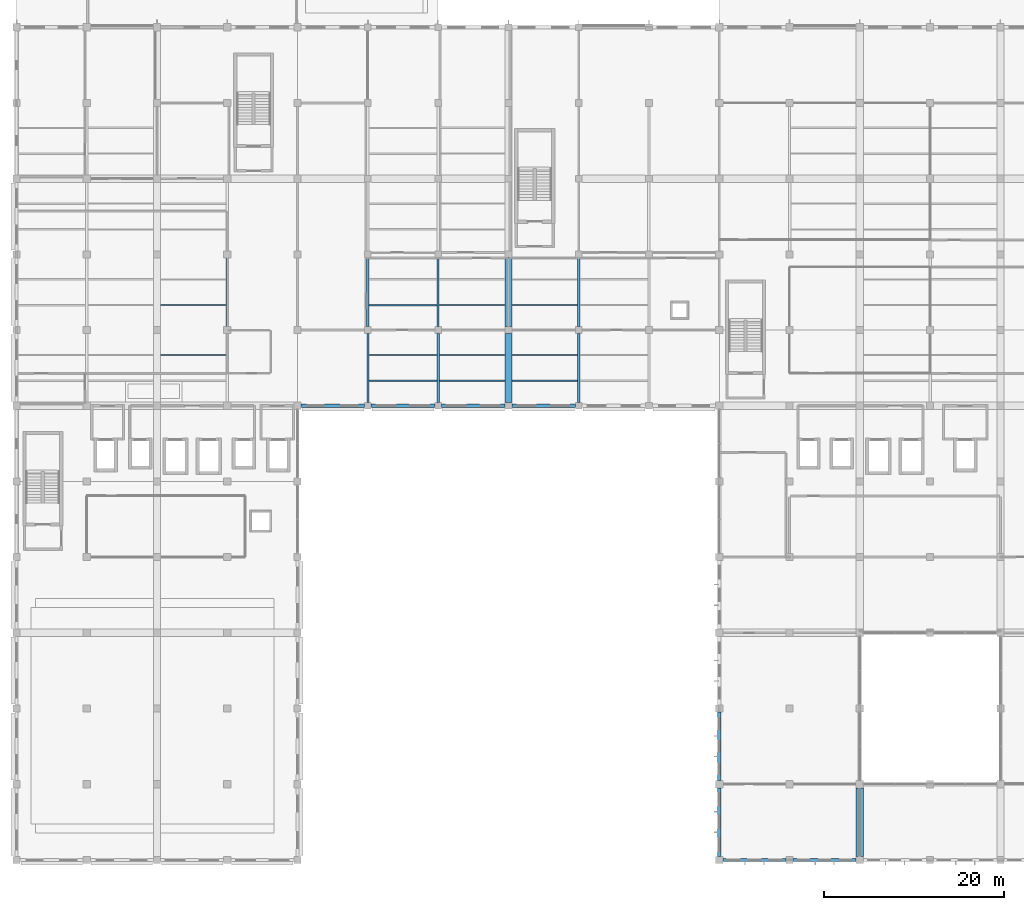
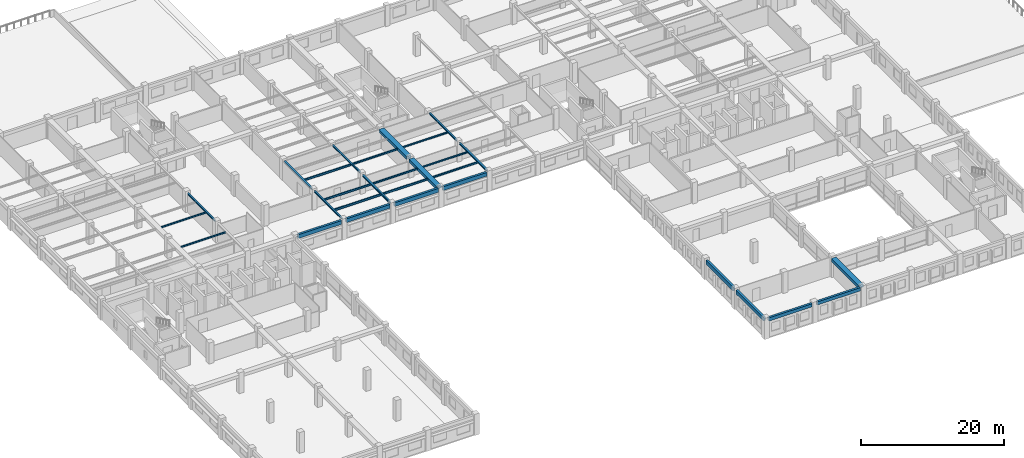
# One storey, part 6 of 50: 29 beams.
"""IFC4 building model written with IfcOpenShell, lengths in metres."""

from ifc_helpers import new_model, si_unit, direction, frame, origin, origin_2d, place, context, subcontext, project, spatial, rectangle, i_section, extrude, material, material_profile, profile_set, type_object, element, save


model = new_model("IFC4")

# Units and contexts
model_context = context("Model", 3, precision=1e-05, world=origin(), true_north=direction((0.0, 1.0)))
body_context = subcontext(model_context, "Body", "Model", "MODEL_VIEW")
ifc_project = project(units=[si_unit("LENGTHUNIT", "METRE"), si_unit("AREAUNIT", "SQUARE_METRE"), si_unit("VOLUMEUNIT", "CUBIC_METRE"), si_unit("PLANEANGLEUNIT", "RADIAN"), si_unit("MASSUNIT", "GRAM", prefix="KILO"), si_unit("THERMODYNAMICTEMPERATUREUNIT", "KELVIN"), si_unit("POWERUNIT", "WATT")], contexts=[model_context])

# Site, building, storey
site_placement = place(None, origin())
site = spatial("IfcSite", under=ifc_project, at=site_placement, CompositionType="ELEMENT")
building_placement = place(site_placement, origin())
building = spatial("IfcBuilding", under=site, at=building_placement, Name="Srebrne Nadtorze General Hospital", CompositionType="ELEMENT")
storey_placement = place(building_placement, frame((0.0, 0.0, 14.39990234375)))
storey = spatial("IfcBuildingStorey", under=building, at=storey_placement, Name="L03", CompositionType="ELEMENT", Elevation=14.39990234375)

# Beams
ifc_material_1 = material(Name="Steel S355J2", Category="steel")
ifc_material_profile_1 = material_profile(ifc_material_1, i_section(OverallWidth=0.159912109375, OverallDepth=0.330078125, WebThickness=0.007568359375, FlangeThickness=0.011474609375, FilletRadius=0.01806640625, at=origin_2d()), Name="IPE-330")
ifc_profile_set_1 = profile_set([ifc_material_profile_1], Name="Steel S355J2")
beam_type_1 = type_object("IfcBeamType", Name="Deck joist IPE 330", PredefinedType="JOIST", material=ifc_profile_set_1)
for number, where, z_axis, x_axis, name in (
    (1, (62.514892578125, 56.028076171875, 3.10498046875), (1.0, 0.0, 0.0), (0.0, 1.0, 0.0), "Interstitial deck joist SJ-L03-0051"),
    (2, (62.534912109375, 61.572021484375, 3.10498046875), (1.0, 0.0, 0.0), (0.0, 1.0, 0.0), "Interstitial deck joist SJ-L03-0052"),
):
    element("IfcBeam", number, at=place(storey_placement, frame(where, z_axis=z_axis, x_axis=x_axis)), inside=storey, type_object=beam_type_1, Name=name, PredefinedType="JOIST", context=body_context, shape_type="SweptSolid", body=[
        extrude(i_section(OverallWidth=0.159912109375, OverallDepth=0.330078125, WebThickness=0.007568359375, FlangeThickness=0.011474609375, FilletRadius=0.01806640625, at=origin_2d()), origin(), (0.0, 0.0, 1.0), 7.550048828125),
    ])
beam_1_placement = place(storey_placement, frame((70.3349609375, 53.172119140625, 3.10498046875), z_axis=(1.0, 0.0, 0.0), x_axis=(0.0, 1.0, 0.0)))
element("IfcBeam", 3, at=beam_1_placement, inside=storey, type_object=beam_type_1, Name="Interstitial deck joist SJ-L03-0058", PredefinedType="JOIST", context=body_context, shape_type="SweptSolid", body=[
    extrude(i_section(OverallWidth=0.159912109375, OverallDepth=0.330078125, WebThickness=0.007568359375, FlangeThickness=0.011474609375, FilletRadius=0.01806640625, at=origin_2d()), origin(), (0.0, 0.0, 1.0), 7.27001953125),
])
ifc_material_2 = material(Name="Steel S355J2", Category="steel")
ifc_material_profile_2 = material_profile(ifc_material_2, i_section(OverallWidth=0.169921875, OverallDepth=0.360107421875, WebThickness=0.008056640625, FlangeThickness=0.0126953125, FilletRadius=0.01806640625, at=origin_2d()), Name="IPE-360")
ifc_profile_set_2 = profile_set([ifc_material_profile_2], Name="Steel S355J2")
beam_type_2 = type_object("IfcBeamType", Name="Deck joist IPE 360", PredefinedType="JOIST", material=ifc_profile_set_2)
beam_2_placement = place(storey_placement, frame((62.514892578125, 53.172119140625, 3.090087890625), z_axis=(1.0, 0.0, 0.0), x_axis=(0.0, 1.0, 0.0)))
element("IfcBeam", 4, at=beam_2_placement, inside=storey, type_object=beam_type_2, Name="Interstitial deck joist SJ-L03-0050", PredefinedType="JOIST", context=body_context, shape_type="SweptSolid", body=[
    extrude(i_section(OverallWidth=0.169921875, OverallDepth=0.360107421875, WebThickness=0.008056640625, FlangeThickness=0.0126953125, FilletRadius=0.01806640625, at=origin_2d()), origin(), (0.0, 0.0, 1.0), 7.550048828125),
])
ifc_material_3 = material(Name="Concrete C35/45", Category="concrete")
ifc_material_profile_3 = material_profile(ifc_material_3, rectangle(XDim=0.35009765625, YDim=0.64990234375, at=origin_2d()), Name="RC-BM-350x650")
ifc_profile_set_3 = profile_set([ifc_material_profile_3], Name="Concrete C35/45")
beam_type_3 = type_object("IfcBeamType", Name="Edge beam RC 350x650", PredefinedType="BEAM", material=ifc_profile_set_3)
beam_3_placement = place(storey_placement, frame((55.0, 50.39990234375, 2.945068359375), z_axis=(1.0, 0.0, 0.0), x_axis=(0.0, 1.0, 0.0)))
element("IfcBeam", 5, at=beam_3_placement, inside=storey, type_object=beam_type_3, Name="Beam BM-L03-X-0745", PredefinedType="BEAM", context=body_context, shape_type="SweptSolid", body=[
    extrude(rectangle(XDim=0.35009765625, YDim=0.64990234375, at=origin_2d()), origin(), (0.0, 0.0, 1.0), 7.02490234375),
])
for number, where, z_axis, x_axis, name in (
    (6, (62.77490234375, 50.39990234375, 2.945068359375), (1.0, 0.0, 0.0), (0.0, 1.0, 0.0), "Beam BM-L03-X-0746"),
    (7, (70.574951171875, 50.39990234375, 2.945068359375), (1.0, 0.0, 0.0), (0.0, 1.0, 0.0), "Beam BM-L03-X-0747"),
    (8, (78.375, 50.39990234375, 2.945068359375), (1.0, 0.0, 0.0), (0.0, 1.0, 0.0), "Beam BM-L03-X-0748"),
):
    element("IfcBeam", number, at=place(storey_placement, frame(where, z_axis=z_axis, x_axis=x_axis)), inside=storey, type_object=beam_type_3, Name=name, PredefinedType="BEAM", context=body_context, shape_type="SweptSolid", body=[
        extrude(rectangle(XDim=0.35009765625, YDim=0.64990234375, at=origin_2d()), origin(), (0.0, 0.0, 1.0), 7.050048828125),
    ])
beam_4_placement = place(storey_placement, frame((101.39990234375, 0.39990234375, 2.945068359375), z_axis=(0.0, 1.0, 0.0), x_axis=(-1.0, 0.0, 0.0)))
element("IfcBeam", 9, at=beam_4_placement, inside=storey, type_object=beam_type_3, Name="Beam BM-L03-Y-0820", PredefinedType="BEAM", context=body_context, shape_type="SweptSolid", body=[
    extrude(rectangle(XDim=0.35009765625, YDim=0.64990234375, at=origin_2d()), origin(), (0.0, 0.0, 1.0), 7.60009765625),
])
beam_5_placement = place(storey_placement, frame((101.39990234375, 8.800048828125, 2.945068359375), z_axis=(0.0, 1.0, 0.0), x_axis=(-1.0, 0.0, 0.0)))
element("IfcBeam", 10, at=beam_5_placement, inside=storey, type_object=beam_type_3, Name="Beam BM-L03-Y-0821", PredefinedType="BEAM", context=body_context, shape_type="SweptSolid", body=[
    extrude(rectangle(XDim=0.35009765625, YDim=0.64990234375, at=origin_2d()), origin(), (0.0, 0.0, 1.0), 7.599853515625),
])
ifc_material_4 = material(Name="Steel S355J2", Category="steel")
ifc_material_profile_4 = material_profile(ifc_material_4, i_section(OverallWidth=0.239990234375, OverallDepth=0.22998046875, WebThickness=0.007568359375, FlangeThickness=0.011962890625, FilletRadius=0.02099609375, at=origin_2d()), Name="HEA-240")
ifc_profile_set_4 = profile_set([ifc_material_profile_4], Name="Steel S355J2")
beam_type_4 = type_object("IfcBeamType", Name="Primary beam HEA 240", PredefinedType="BEAM", material=ifc_profile_set_4)
beam_6_placement = place(storey_placement, frame((62.39990234375, 50.77490234375, 3.155029296875), z_axis=(0.0, 1.0, 0.0), x_axis=(-1.0, 0.0, 0.0)))
element("IfcBeam", 11, at=beam_6_placement, inside=storey, type_object=beam_type_4, Name="Interstitial steel beam SB-L03-0008", PredefinedType="BEAM", context=body_context, shape_type="SweptSolid", body=[
    extrude(i_section(OverallWidth=0.239990234375, OverallDepth=0.22998046875, WebThickness=0.007568359375, FlangeThickness=0.011962890625, FilletRadius=0.02099609375, at=origin_2d()), origin(), (0.0, 0.0, 1.0), 7.650146484375),
])
ifc_material_5 = material(Name="Steel S355J2", Category="steel")
ifc_material_profile_5 = material_profile(ifc_material_5, i_section(OverallWidth=0.260009765625, OverallDepth=0.25, WebThickness=0.007568359375, FlangeThickness=0.012451171875, FilletRadius=0.02392578125, at=origin_2d()), Name="HEA-260")
ifc_profile_set_5 = profile_set([ifc_material_profile_5], Name="Steel S355J2")
beam_type_5 = type_object("IfcBeamType", Name="Primary beam HEA 260", PredefinedType="BEAM", material=ifc_profile_set_5)
beam_7_placement = place(storey_placement, frame((46.800048828125, 59.199951171875, 3.14501953125), z_axis=(0.0, 1.0, 0.0), x_axis=(-1.0, 0.0, 0.0)))
element("IfcBeam", 12, at=beam_7_placement, inside=storey, type_object=beam_type_5, Name="Interstitial steel beam SB-L03-0006", PredefinedType="BEAM", context=body_context, shape_type="SweptSolid", body=[
    extrude(i_section(OverallWidth=0.260009765625, OverallDepth=0.25, WebThickness=0.007568359375, FlangeThickness=0.012451171875, FilletRadius=0.02392578125, at=origin_2d()), origin(), (0.0, 0.0, 1.0), 7.60009765625),
])
beam_8_placement = place(storey_placement, frame((85.800048828125, 59.175048828125, 3.14501953125), z_axis=(0.0, 1.0, 0.0), x_axis=(-1.0, 0.0, 0.0)))
element("IfcBeam", 13, at=beam_8_placement, inside=storey, type_object=beam_type_5, Name="Interstitial steel beam SB-L03-0017", PredefinedType="BEAM", context=body_context, shape_type="SweptSolid", body=[
    extrude(i_section(OverallWidth=0.260009765625, OverallDepth=0.25, WebThickness=0.007568359375, FlangeThickness=0.012451171875, FilletRadius=0.02392578125, at=origin_2d()), origin(), (0.0, 0.0, 1.0), 7.64990234375),
])
ifc_material_6 = material(Name="Steel S355J2", Category="steel")
ifc_material_profile_6 = material_profile(ifc_material_6, i_section(OverallWidth=0.280029296875, OverallDepth=0.27001953125, WebThickness=0.008056640625, FlangeThickness=0.012939453125, FilletRadius=0.02392578125, at=origin_2d()), Name="HEA-280")
ifc_profile_set_6 = profile_set([ifc_material_profile_6], Name="Steel S355J2")
beam_type_6 = type_object("IfcBeamType", Name="Primary beam HEA 280", PredefinedType="BEAM", material=ifc_profile_set_6)
beam_9_placement = place(storey_placement, frame((85.800048828125, 50.77490234375, 3.135009765625), z_axis=(0.0, 1.0, 0.0), x_axis=(-1.0, 0.0, 0.0)))
element("IfcBeam", 14, at=beam_9_placement, inside=storey, type_object=beam_type_6, Name="Interstitial steel beam SB-L03-0016", PredefinedType="BEAM", context=body_context, shape_type="SweptSolid", body=[
    extrude(i_section(OverallWidth=0.280029296875, OverallDepth=0.27001953125, WebThickness=0.008056640625, FlangeThickness=0.012939453125, FilletRadius=0.02392578125, at=origin_2d()), origin(), (0.0, 0.0, 1.0), 7.650146484375),
])
ifc_material_7 = material(Name="Steel S355J2", Category="steel")
ifc_material_profile_7 = material_profile(ifc_material_7, i_section(OverallWidth=0.239990234375, OverallDepth=0.239990234375, WebThickness=0.010009765625, FlangeThickness=0.01708984375, FilletRadius=0.02099609375, at=origin_2d()), Name="HEB-240")
ifc_profile_set_7 = profile_set([ifc_material_profile_7], Name="Steel S355J2")
beam_type_7 = type_object("IfcBeamType", Name="Primary beam HEB 240", PredefinedType="BEAM", material=ifc_profile_set_7)
beam_10_placement = place(storey_placement, frame((70.199951171875, 59.175048828125, 3.150146484375), z_axis=(0.0, 1.0, 0.0), x_axis=(-1.0, 0.0, 0.0)))
element("IfcBeam", 15, at=beam_10_placement, inside=storey, type_object=beam_type_7, Name="Interstitial steel beam SB-L03-0013", PredefinedType="BEAM", context=body_context, shape_type="SweptSolid", body=[
    extrude(i_section(OverallWidth=0.239990234375, OverallDepth=0.239990234375, WebThickness=0.010009765625, FlangeThickness=0.01708984375, FilletRadius=0.02099609375, at=origin_2d()), origin(), (0.0, 0.0, 1.0), 7.64990234375),
])
ifc_material_8 = material(Name="Steel S355J2", Category="steel")
ifc_material_profile_8 = material_profile(ifc_material_8, i_section(OverallWidth=0.280029296875, OverallDepth=0.280029296875, WebThickness=0.010498046875, FlangeThickness=0.01806640625, FilletRadius=0.02392578125, at=origin_2d()), Name="HEB-280")
ifc_profile_set_8 = profile_set([ifc_material_profile_8], Name="Steel S355J2")
beam_type_8 = type_object("IfcBeamType", Name="Primary beam HEB 280", PredefinedType="BEAM", material=ifc_profile_set_8)
beam_11_placement = place(storey_placement, frame((62.39990234375, 59.175048828125, 3.130126953125), z_axis=(0.0, 1.0, 0.0), x_axis=(-1.0, 0.0, 0.0)))
element("IfcBeam", 16, at=beam_11_placement, inside=storey, type_object=beam_type_8, Name="Interstitial steel beam SB-L03-0009", PredefinedType="BEAM", context=body_context, shape_type="SweptSolid", body=[
    extrude(i_section(OverallWidth=0.280029296875, OverallDepth=0.280029296875, WebThickness=0.010498046875, FlangeThickness=0.01806640625, FilletRadius=0.02392578125, at=origin_2d()), origin(), (0.0, 0.0, 1.0), 7.64990234375),
])
beam_12_placement = place(storey_placement, frame((70.199951171875, 50.77490234375, 3.130126953125), z_axis=(0.0, 1.0, 0.0), x_axis=(-1.0, 0.0, 0.0)))
element("IfcBeam", 17, at=beam_12_placement, inside=storey, type_object=beam_type_8, Name="Interstitial steel beam SB-L03-0012", PredefinedType="BEAM", context=body_context, shape_type="SweptSolid", body=[
    extrude(i_section(OverallWidth=0.280029296875, OverallDepth=0.280029296875, WebThickness=0.010498046875, FlangeThickness=0.01806640625, FilletRadius=0.02392578125, at=origin_2d()), origin(), (0.0, 0.0, 1.0), 7.650146484375),
])
ifc_material_9 = material(Name="Concrete C40/50", Category="concrete")
ifc_material_profile_9 = material_profile(ifc_material_9, rectangle(XDim=0.800048828125, YDim=0.5, at=origin_2d()), Name="RC-BM-800x500")
ifc_profile_set_9 = profile_set([ifc_material_profile_9], Name="Concrete C40/50")
beam_type_9 = type_object("IfcBeamType", Name="Primary beam RC 800x500", PredefinedType="BEAM", material=ifc_profile_set_9)
beam_13_placement = place(storey_placement, frame((78.0, 50.77490234375, 3.02001953125), z_axis=(0.0, 1.0, 0.0), x_axis=(-1.0, 0.0, 0.0)))
element("IfcBeam", 18, at=beam_13_placement, inside=storey, type_object=beam_type_9, Name="Beam BM-L03-Y-0815", PredefinedType="BEAM", context=body_context, shape_type="SweptSolid", body=[
    extrude(rectangle(XDim=0.800048828125, YDim=0.5, at=origin_2d()), origin(), (0.0, 0.0, 1.0), 7.650146484375),
])
beam_14_placement = place(storey_placement, frame((78.0, 59.175048828125, 3.02001953125), z_axis=(0.0, 1.0, 0.0), x_axis=(-1.0, 0.0, 0.0)))
element("IfcBeam", 19, at=beam_14_placement, inside=storey, type_object=beam_type_9, Name="Beam BM-L03-Y-0816", PredefinedType="BEAM", context=body_context, shape_type="SweptSolid", body=[
    extrude(rectangle(XDim=0.800048828125, YDim=0.5, at=origin_2d()), origin(), (0.0, 0.0, 1.0), 7.64990234375),
])
beam_15_placement = place(storey_placement, frame((117.0, 0.39990234375, 3.02001953125), z_axis=(0.0, 1.0, 0.0), x_axis=(-1.0, 0.0, 0.0)))
element("IfcBeam", 20, at=beam_15_placement, inside=storey, type_object=beam_type_9, Name="Beam BM-L03-Y-0826", PredefinedType="BEAM", context=body_context, shape_type="SweptSolid", body=[
    extrude(rectangle(XDim=0.800048828125, YDim=0.5, at=origin_2d()), origin(), (0.0, 0.0, 1.0), 7.60009765625),
])
ifc_material_10 = material(Name="Steel S355J2", Category="steel")
ifc_material_profile_10 = material_profile(ifc_material_10, i_section(OverallWidth=0.135009765625, OverallDepth=0.27001953125, WebThickness=0.006591796875, FlangeThickness=0.01025390625, FilletRadius=0.014892578125, at=origin_2d()), Name="IPE-270")
ifc_profile_set_10 = profile_set([ifc_material_profile_10], Name="Steel S355J2")
beam_type_10 = type_object("IfcBeamType", Name="Secondary joist IPE 270", PredefinedType="JOIST", material=ifc_profile_set_10)
beam_16_placement = place(storey_placement, frame((39.39501953125, 56.028076171875, 3.135009765625), z_axis=(1.0, 0.0, 0.0), x_axis=(0.0, 1.0, 0.0)))
element("IfcBeam", 21, at=beam_16_placement, inside=storey, type_object=beam_type_10, Name="Interstitial deck joist SJ-L03-0045", PredefinedType="JOIST", context=body_context, shape_type="SweptSolid", body=[
    extrude(i_section(OverallWidth=0.135009765625, OverallDepth=0.27001953125, WebThickness=0.006591796875, FlangeThickness=0.01025390625, FilletRadius=0.014892578125, at=origin_2d()), origin(), (0.0, 0.0, 1.0), 7.27001953125),
])
beam_17_placement = place(storey_placement, frame((39.39501953125, 61.572021484375, 3.135009765625), z_axis=(1.0, 0.0, 0.0), x_axis=(0.0, 1.0, 0.0)))
element("IfcBeam", 22, at=beam_17_placement, inside=storey, type_object=beam_type_10, Name="Interstitial deck joist SJ-L03-0046", PredefinedType="JOIST", context=body_context, shape_type="SweptSolid", body=[
    extrude(i_section(OverallWidth=0.135009765625, OverallDepth=0.27001953125, WebThickness=0.006591796875, FlangeThickness=0.01025390625, FilletRadius=0.014892578125, at=origin_2d()), origin(), (0.0, 0.0, 1.0), 7.280029296875),
])
beam_18_placement = place(storey_placement, frame((78.39501953125, 56.028076171875, 3.135009765625), z_axis=(1.0, 0.0, 0.0), x_axis=(0.0, 1.0, 0.0)))
element("IfcBeam", 23, at=beam_18_placement, inside=storey, type_object=beam_type_10, Name="Interstitial deck joist SJ-L03-0067", PredefinedType="JOIST", context=body_context, shape_type="SweptSolid", body=[
    extrude(i_section(OverallWidth=0.135009765625, OverallDepth=0.27001953125, WebThickness=0.006591796875, FlangeThickness=0.01025390625, FilletRadius=0.014892578125, at=origin_2d()), origin(), (0.0, 0.0, 1.0), 7.27001953125),
])
beam_19_placement = place(storey_placement, frame((78.39501953125, 61.572021484375, 3.135009765625), z_axis=(1.0, 0.0, 0.0), x_axis=(0.0, 1.0, 0.0)))
element("IfcBeam", 24, at=beam_19_placement, inside=storey, type_object=beam_type_10, Name="Interstitial deck joist SJ-L03-0068", PredefinedType="JOIST", context=body_context, shape_type="SweptSolid", body=[
    extrude(i_section(OverallWidth=0.135009765625, OverallDepth=0.27001953125, WebThickness=0.006591796875, FlangeThickness=0.01025390625, FilletRadius=0.014892578125, at=origin_2d()), origin(), (0.0, 0.0, 1.0), 7.280029296875),
])
ifc_material_11 = material(Name="Steel S355J2", Category="steel")
ifc_material_profile_11 = material_profile(ifc_material_11, i_section(OverallWidth=0.14990234375, OverallDepth=0.300048828125, WebThickness=0.007080078125, FlangeThickness=0.0107421875, FilletRadius=0.014892578125, at=origin_2d()), Name="IPE-300")
ifc_profile_set_11 = profile_set([ifc_material_profile_11], Name="Steel S355J2")
beam_type_11 = type_object("IfcBeamType", Name="Secondary joist IPE 300", PredefinedType="JOIST", material=ifc_profile_set_11)
beam_20_placement = place(storey_placement, frame((70.3349609375, 56.028076171875, 3.1201171875), z_axis=(1.0, 0.0, 0.0), x_axis=(0.0, 1.0, 0.0)))
element("IfcBeam", 25, at=beam_20_placement, inside=storey, type_object=beam_type_11, Name="Interstitial deck joist SJ-L03-0059", PredefinedType="JOIST", context=body_context, shape_type="SweptSolid", body=[
    extrude(i_section(OverallWidth=0.14990234375, OverallDepth=0.300048828125, WebThickness=0.007080078125, FlangeThickness=0.0107421875, FilletRadius=0.014892578125, at=origin_2d()), origin(), (0.0, 0.0, 1.0), 7.27001953125),
])
beam_21_placement = place(storey_placement, frame((70.31494140625, 61.572021484375, 3.1201171875), z_axis=(1.0, 0.0, 0.0), x_axis=(0.0, 1.0, 0.0)))
element("IfcBeam", 26, at=beam_21_placement, inside=storey, type_object=beam_type_11, Name="Interstitial deck joist SJ-L03-0060", PredefinedType="JOIST", context=body_context, shape_type="SweptSolid", body=[
    extrude(i_section(OverallWidth=0.14990234375, OverallDepth=0.300048828125, WebThickness=0.007080078125, FlangeThickness=0.0107421875, FilletRadius=0.014892578125, at=origin_2d()), origin(), (0.0, 0.0, 1.0), 7.2900390625),
])
beam_22_placement = place(storey_placement, frame((78.39501953125, 53.172119140625, 3.1201171875), z_axis=(1.0, 0.0, 0.0), x_axis=(0.0, 1.0, 0.0)))
element("IfcBeam", 27, at=beam_22_placement, inside=storey, type_object=beam_type_11, Name="Interstitial deck joist SJ-L03-0066", PredefinedType="JOIST", context=body_context, shape_type="SweptSolid", body=[
    extrude(i_section(OverallWidth=0.14990234375, OverallDepth=0.300048828125, WebThickness=0.007080078125, FlangeThickness=0.0107421875, FilletRadius=0.014892578125, at=origin_2d()), origin(), (0.0, 0.0, 1.0), 7.27001953125),
])
ifc_material_12 = material(Name="Concrete C35/45", Category="concrete")
ifc_material_profile_12 = material_profile(ifc_material_12, rectangle(XDim=0.35009765625, YDim=0.550048828125, at=origin_2d()), Name="RC-BM-350x550")
ifc_profile_set_12 = profile_set([ifc_material_profile_12], Name="Concrete C35/45")
beam_type_12 = type_object("IfcBeamType", Name="Spandrel lintel beam RC 350x550", PredefinedType="LINTEL", material=ifc_profile_set_12)
for number, where, z_axis, x_axis, name in (
    (28, (101.800048828125, 0.0, 2.9951171875), (1.0, 0.0, 0.0), (0.0, 1.0, 0.0), "Beam BM-L03-X-0723"),
    (29, (109.60009765625, 0.0, 2.9951171875), (1.0, 0.0, 0.0), (0.0, 1.0, 0.0), "Beam BM-L03-X-0724"),
):
    element("IfcBeam", number, at=place(storey_placement, frame(where, z_axis=z_axis, x_axis=x_axis)), inside=storey, type_object=beam_type_12, Name=name, PredefinedType="LINTEL", context=body_context, shape_type="SweptSolid", body=[
        extrude(rectangle(XDim=0.35009765625, YDim=0.550048828125, at=origin_2d()), origin(), (0.0, 0.0, 1.0), 7.0),
    ])

save(model, "model.ifc")
